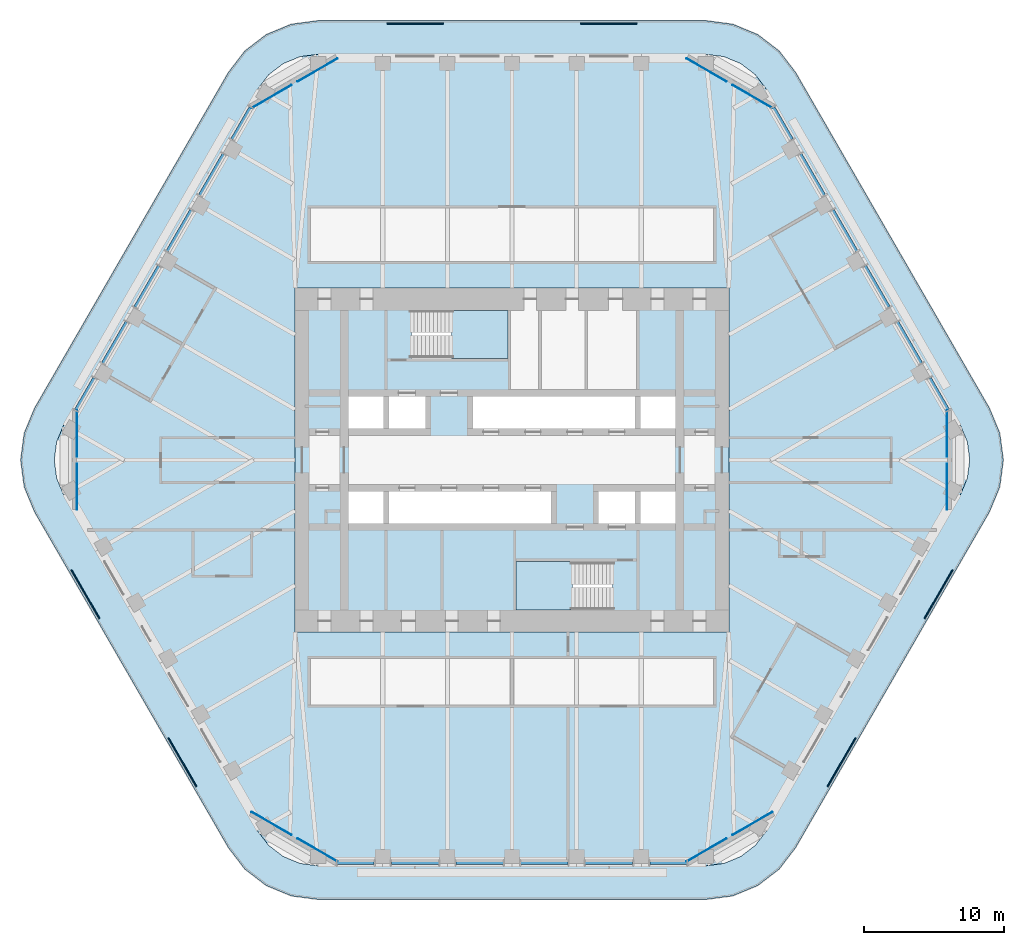
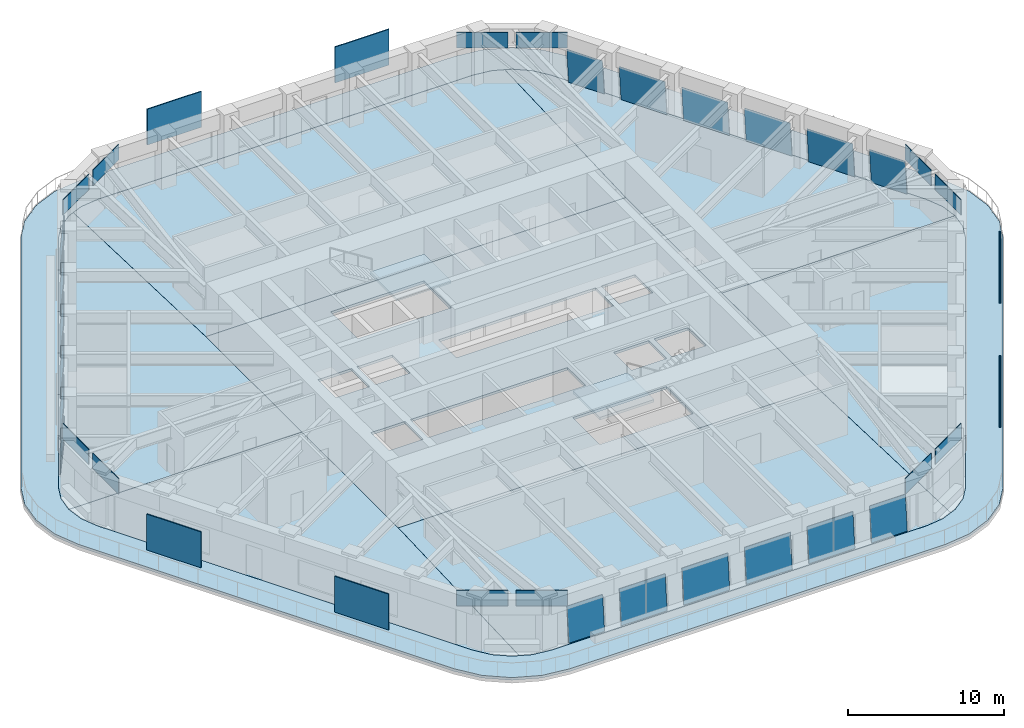
# One storey, part 13 of 20: 36 plates, 10 slabs, 20 elements without a shape of their own.
"""IFC4 building model written with IfcOpenShell, lengths in metres."""

from ifc_helpers import new_model, si_unit, direction, frame, origin, origin_2d, place, context, subcontext, project, spatial, polyline, rectangle, outline, extrude, material, layer, layer_set, type_object, element, aggregate, save


model = new_model("IFC4")

# Units and contexts
model_context = context("Model", 3, precision=1e-05, world=origin(), true_north=direction((0.0, 1.0)))
body_context = subcontext(model_context, "Body", "Model", "MODEL_VIEW")
ifc_project = project(units=[si_unit("LENGTHUNIT", "METRE"), si_unit("AREAUNIT", "SQUARE_METRE"), si_unit("VOLUMEUNIT", "CUBIC_METRE"), si_unit("PLANEANGLEUNIT", "RADIAN"), si_unit("MASSUNIT", "GRAM", prefix="KILO")], contexts=[model_context])

# Site, building, storey
site_placement = place(None, origin())
site = spatial("IfcSite", under=ifc_project, at=site_placement, CompositionType="ELEMENT")
building_placement = place(site_placement, origin())
building = spatial("IfcBuilding", under=site, at=building_placement, Name="Tarfa Lantern Tower", CompositionType="ELEMENT")
storey_placement = place(building_placement, frame((0.0, 0.0, 282.699951171875)))
storey = spatial("IfcBuildingStorey", under=building, at=storey_placement, Name="L64", CompositionType="ELEMENT", Elevation=282.699951171875)

# Slab
ifc_material_1 = material(Name="Concrete C40/50", Category="concrete")
ifc_layer_1 = layer(ifc_material_1, 0.199951171875)
ifc_layer_set_1 = layer_set([ifc_layer_1], Name="BS2 BALCONY SLAB 200")
slab_type_1 = type_object("IfcSlabType", Name="BS2 BALCONY SLAB 200", PredefinedType="FLOOR", material=ifc_layer_set_1)
slab_1_placement = place(storey_placement, frame((0.0, 0.0, -0.199951171875)))
element("IfcSlab", 1, at=slab_1_placement, inside=storey, type_object=slab_type_1, Name="Balcony L64", PredefinedType="FLOOR", context=body_context, shape_type="SweptSolid", body=[
    extrude(outline(polyline([(34.121337890625, 3.699951171875), (20.264892578125, 27.699951171875), (19.089111328125, 29.232666015625), (17.556396484375, 30.40869140625), (15.771728515625, 31.14794921875), (13.8564453125, 31.39990234375), (-13.8564453125, 31.39990234375), (-15.771728515625, 31.14794921875), (-17.556396484375, 30.40869140625), (-19.089111328125, 29.232666015625), (-20.264892578125, 27.699951171875), (-34.121337890625, 3.699951171875), (-34.860595703125, 1.915283203125), (-35.11279296875, 0.0), (-34.860595703125, -1.915283203125), (-34.121337890625, -3.699951171875), (-20.264892578125, -27.699951171875), (-19.089111328125, -29.232666015625), (-17.556396484375, -30.40869140625), (-15.771728515625, -31.14794921875), (-13.8564453125, -31.39990234375), (13.8564453125, -31.39990234375), (15.771728515625, -31.14794921875), (17.556396484375, -30.40869140625), (19.089111328125, -29.232666015625), (20.264892578125, -27.699951171875), (34.121337890625, -3.699951171875), (34.860595703125, -1.915283203125), (35.11279296875, 0.0), (34.860595703125, 1.915283203125), (34.121337890625, 3.699951171875)]), holes=[polyline([(32.04296875, 2.5), (18.1865234375, 26.5), (17.391845703125, 27.53564453125), (16.3564453125, 28.330078125), (15.150390625, 28.82958984375), (13.8564453125, 29.0), (-13.8564453125, 29.0), (-15.150390625, 28.82958984375), (-16.3564453125, 28.330078125), (-17.391845703125, 27.53564453125), (-18.1865234375, 26.5), (-32.04296875, 2.5), (-32.54248046875, 1.294189453125), (-32.712890625, 0.0), (-32.54248046875, -1.294189453125), (-32.04296875, -2.5), (-18.1865234375, -26.5), (-17.391845703125, -27.53564453125), (-16.3564453125, -28.330078125), (-15.150390625, -28.82958984375), (-13.8564453125, -29.0), (13.8564453125, -29.0), (15.150390625, -28.82958984375), (16.3564453125, -28.330078125), (17.391845703125, -27.53564453125), (18.1865234375, -26.5), (32.04296875, -2.5), (32.54248046875, -1.294189453125), (32.712890625, 0.0), (32.54248046875, 1.294189453125), (32.04296875, 2.5)])]), origin(), (0.0, 0.0, 1.0), 0.199951171875),
])

# Curtain wall, plate
ifc_material_2 = material(Name="Aluminium framed curtain wall", Category="aluminium")
curtain_wall_type = type_object("IfcCurtainWallType", Name="CW3 CANTED GLAZING HIGH ZONE 2800", PredefinedType="USERDEFINED", material=ifc_material_2)
curtain_wall_1_placement = place(storey_placement, origin())
curtain_wall_1 = element("IfcCurtainWall", 2, at=curtain_wall_1_placement, inside=storey, type_object=curtain_wall_type, Name="CW3 NE L64", ObjectType="CURTAIN WALL", PredefinedType="USERDEFINED")
ifc_material_3 = material(Name="Laminated double glazing", Category="glass")
ifc_layer_2 = layer(ifc_material_3, 0.028076171875)
ifc_layer_set_2 = layer_set([ifc_layer_2], Name="CWP1 DOUBLE GLAZED PANEL")
plate_type_1 = type_object("IfcPlateType", Name="CWP1 DOUBLE GLAZED PANEL", PredefinedType="CURTAIN_PANEL", material=ifc_layer_set_2)
plate_1_placement = place(storey_placement, frame((31.27392578125, 3.632080078125, 0.0), z_axis=(0.862596006768, 0.498013045463, 0.08894456508), x_axis=(-0.499995010144, 0.866028284653, 3.548924e-06)))
plate_1 = element("IfcPlate", 3, at=plate_1_placement, type_object=plate_type_1, Name="CW3 panel 1.1", PredefinedType="CURTAIN_PANEL", context=body_context, shape_type="SweptSolid", body=[
    extrude(outline(polyline([(0.0, 0.0), (2.63900483458552, 0.0), (2.639010033574038, 2.7459815404063015), (0.00012726808279123097, 2.7460003457631657), (0.0, 0.0)])), origin(), (0.0, 0.0, -1.0), 0.028076171875),
])
aggregate(curtain_wall_1, [plate_1])

curtain_wall_2_placement = place(storey_placement, origin())
curtain_wall_2 = element("IfcCurtainWall", 4, at=curtain_wall_2_placement, inside=storey, type_object=curtain_wall_type, Name="CW3 NE L64", ObjectType="CURTAIN WALL", PredefinedType="USERDEFINED")
plate_2_placement = place(storey_placement, frame((29.33935546875, 6.982666015625, 0.0), z_axis=(0.862606111226, 0.498002363523, 0.08890637098), x_axis=(-0.499982299553, 0.866035622901, 0.0)))
plate_2 = element("IfcPlate", 5, at=plate_2_placement, type_object=plate_type_1, Name="CW3 panel 1.1", PredefinedType="CURTAIN_PANEL", context=body_context, shape_type="SweptSolid", body=[
    extrude(outline(polyline([(0.0, 0.0), (3.3887918412577953, 0.0), (3.3887837504284137, 2.74598154241817), (-8.090829381399156e-06, 2.74598154241817), (0.0, 0.0)])), origin(), (0.0, 0.0, -1.0), 0.028076171875),
])
aggregate(curtain_wall_2, [plate_2])

curtain_wall_3_placement = place(storey_placement, origin())
curtain_wall_3 = element("IfcCurtainWall", 6, at=curtain_wall_3_placement, inside=storey, type_object=curtain_wall_type, Name="CW3 NE L64", ObjectType="CURTAIN WALL", PredefinedType="USERDEFINED")
plate_3_placement = place(storey_placement, frame((27.030029296875, 10.982666015625, 0.0), z_axis=(0.862606111226, 0.498002363523, 0.08890637098), x_axis=(-0.499982299553, 0.866035622901, 0.0)))
plate_3 = element("IfcPlate", 7, at=plate_3_placement, type_object=plate_type_1, Name="CW3 panel 1.1", PredefinedType="CURTAIN_PANEL", context=body_context, shape_type="SweptSolid", body=[
    extrude(outline(polyline([(0.0, 0.0), (3.3887918412577953, 0.0), (3.3887837504284137, 2.74598154241817), (-8.090829381399156e-06, 2.74598154241817), (0.0, 0.0)])), origin(), (0.0, 0.0, -1.0), 0.028076171875),
])
aggregate(curtain_wall_3, [plate_3])

curtain_wall_4_placement = place(storey_placement, origin())
curtain_wall_4 = element("IfcCurtainWall", 8, at=curtain_wall_4_placement, inside=storey, type_object=curtain_wall_type, Name="CW3 NE L64", ObjectType="CURTAIN WALL", PredefinedType="USERDEFINED")
plate_4_placement = place(storey_placement, frame((24.720703125, 14.982666015625, 0.0), z_axis=(0.862587622286, 0.498027567796, 0.088944564725), x_axis=(-0.500009529513, 0.866019901843, 2.763581e-06)))
plate_4 = element("IfcPlate", 9, at=plate_4_placement, type_object=plate_type_1, Name="CW3 panel 1.1", PredefinedType="CURTAIN_PANEL", context=body_context, shape_type="SweptSolid", body=[
    extrude(outline(polyline([(0.0, 0.0), (3.3889139122087784, 5.551115123125783e-17), (3.3889210562595635, 2.7459815404019694), (0.00012921668982732873, 2.746000345672202), (0.0, 0.0)])), origin(), (0.0, 0.0, -1.0), 0.028076171875),
])
aggregate(curtain_wall_4, [plate_4])

curtain_wall_5_placement = place(storey_placement, origin())
curtain_wall_5 = element("IfcCurtainWall", 10, at=curtain_wall_5_placement, inside=storey, type_object=curtain_wall_type, Name="CW3 NE L64", ObjectType="CURTAIN WALL", PredefinedType="USERDEFINED")
plate_5_placement = place(storey_placement, frame((22.4111328125, 18.982666015625, 0.0), z_axis=(0.862606111226, 0.498002363523, 0.08890637098), x_axis=(-0.499982299553, 0.866035622901, 0.0)))
plate_5 = element("IfcPlate", 11, at=plate_5_placement, type_object=plate_type_1, Name="CW3 panel 1.1", PredefinedType="CURTAIN_PANEL", context=body_context, shape_type="SweptSolid", body=[
    extrude(outline(polyline([(0.0, 0.0), (3.3887918412577953, 0.0), (3.3887837504284137, 2.74598154241817), (-8.090829381399156e-06, 2.74598154241817), (0.0, 0.0)])), origin(), (0.0, 0.0, -1.0), 0.028076171875),
])
aggregate(curtain_wall_5, [plate_5])

curtain_wall_6_placement = place(storey_placement, origin())
curtain_wall_6 = element("IfcCurtainWall", 12, at=curtain_wall_6_placement, inside=storey, type_object=curtain_wall_type, Name="CW3 NE L64", ObjectType="CURTAIN WALL", PredefinedType="USERDEFINED")
plate_6_placement = place(storey_placement, frame((20.101806640625, 22.982666015625, 0.0), z_axis=(0.862595873499, 0.498020096195, 0.088906371021), x_axis=(-0.500000102728, 0.866025344474, 0.0)))
plate_6 = element("IfcPlate", 13, at=plate_6_placement, type_object=plate_type_1, Name="CW3 panel 1.1", PredefinedType="CURTAIN_PANEL", context=body_context, shape_type="SweptSolid", body=[
    extrude(outline(polyline([(0.0, 0.0), (2.638671332866802, -2.7755575615628914e-17), (2.638668260778366, 2.7459815424283702), (-3.072088436501354e-06, 2.7459815424283702), (0.0, 0.0)])), origin(), (0.0, 0.0, -1.0), 0.028076171875),
])
aggregate(curtain_wall_6, [plate_6])

curtain_wall_7_placement = place(storey_placement, origin())
curtain_wall_7 = element("IfcCurtainWall", 14, at=curtain_wall_7_placement, inside=storey, type_object=curtain_wall_type, Name="CW3 NW L64", ObjectType="CURTAIN WALL", PredefinedType="USERDEFINED")
plate_7_placement = place(storey_placement, frame((-18.782470703125, 25.267822265625, 0.0), z_axis=(-0.862595873499, 0.498020096195, 0.088906371021), x_axis=(-0.500000102728, -0.866025344474, 0.0)))
plate_7 = element("IfcPlate", 15, at=plate_7_placement, type_object=plate_type_1, Name="CW3 panel 1.1", PredefinedType="CURTAIN_PANEL", context=body_context, shape_type="SweptSolid", body=[
    extrude(outline(polyline([(0.0, 0.0), (2.638671332866802, 2.7755575615628914e-17), (2.6386744049552386, 2.7459815424283702), (3.072088436501354e-06, 2.7459815424283702), (0.0, 0.0)])), origin(), (0.0, 0.0, -1.0), 0.028076171875),
])
aggregate(curtain_wall_7, [plate_7])

curtain_wall_8_placement = place(storey_placement, origin())
curtain_wall_8 = element("IfcCurtainWall", 16, at=curtain_wall_8_placement, inside=storey, type_object=curtain_wall_type, Name="CW3 NW L64", ObjectType="CURTAIN WALL", PredefinedType="USERDEFINED")
plate_8_placement = place(storey_placement, frame((-20.716796875, 21.91748046875, 0.0), z_axis=(-0.862606111226, 0.498002363523, 0.08890637098), x_axis=(-0.499982299553, -0.866035622901, 0.0)))
plate_8 = element("IfcPlate", 17, at=plate_8_placement, type_object=plate_type_1, Name="CW3 panel 1.1", PredefinedType="CURTAIN_PANEL", context=body_context, shape_type="SweptSolid", body=[
    extrude(outline(polyline([(0.0, 0.0), (3.3887918412577953, 0.0), (3.3887999320871764, 2.74598154241817), (8.090829381399156e-06, 2.74598154241817), (0.0, 0.0)])), origin(), (0.0, 0.0, -1.0), 0.028076171875),
])
aggregate(curtain_wall_8, [plate_8])

curtain_wall_9_placement = place(storey_placement, origin())
curtain_wall_9 = element("IfcCurtainWall", 18, at=curtain_wall_9_placement, inside=storey, type_object=curtain_wall_type, Name="CW3 NW L64", ObjectType="CURTAIN WALL", PredefinedType="USERDEFINED")
plate_9_placement = place(storey_placement, frame((-23.026123046875, 17.91748046875, 0.0), z_axis=(-0.862587622286, 0.498027567796, 0.088944564725), x_axis=(-0.500009529513, -0.866019901843, -2.763581e-06)))
plate_9 = element("IfcPlate", 19, at=plate_9_placement, type_object=plate_type_1, Name="CW3 panel 1.1", PredefinedType="CURTAIN_PANEL", context=body_context, shape_type="SweptSolid", body=[
    extrude(outline(polyline([(0.0, 0.0), (3.3889139122087784, -5.551115123125783e-17), (3.3887846955189507, 2.746000345672202), (-7.144050785966382e-06, 2.7459815404019694), (0.0, 0.0)])), origin(), (0.0, 0.0, -1.0), 0.028076171875),
])
aggregate(curtain_wall_9, [plate_9])

curtain_wall_10_placement = place(storey_placement, origin())
curtain_wall_10 = element("IfcCurtainWall", 20, at=curtain_wall_10_placement, inside=storey, type_object=curtain_wall_type, Name="CW3 NW L64", ObjectType="CURTAIN WALL", PredefinedType="USERDEFINED")
plate_10_placement = place(storey_placement, frame((-25.335693359375, 13.91748046875, 0.0), z_axis=(-0.862606111226, 0.498002363523, 0.08890637098), x_axis=(-0.499982299553, -0.866035622901, 0.0)))
plate_10 = element("IfcPlate", 21, at=plate_10_placement, type_object=plate_type_1, Name="CW3 panel 1.1", PredefinedType="CURTAIN_PANEL", context=body_context, shape_type="SweptSolid", body=[
    extrude(outline(polyline([(0.0, 0.0), (3.3887918412577953, 0.0), (3.3887999320871764, 2.74598154241817), (8.090829381399156e-06, 2.74598154241817), (0.0, 0.0)])), origin(), (0.0, 0.0, -1.0), 0.028076171875),
])
aggregate(curtain_wall_10, [plate_10])

curtain_wall_11_placement = place(storey_placement, origin())
curtain_wall_11 = element("IfcCurtainWall", 22, at=curtain_wall_11_placement, inside=storey, type_object=curtain_wall_type, Name="CW3 NW L64", ObjectType="CURTAIN WALL", PredefinedType="USERDEFINED")
plate_11_placement = place(storey_placement, frame((-27.64501953125, 9.91748046875, 0.0), z_axis=(-0.862606111226, 0.498002363523, 0.08890637098), x_axis=(-0.499982299553, -0.866035622901, 0.0)))
plate_11 = element("IfcPlate", 23, at=plate_11_placement, type_object=plate_type_1, Name="CW3 panel 1.1", PredefinedType="CURTAIN_PANEL", context=body_context, shape_type="SweptSolid", body=[
    extrude(outline(polyline([(0.0, 0.0), (3.3887918412577953, 0.0), (3.3887999320871764, 2.74598154241817), (8.090829381399156e-06, 2.74598154241817), (0.0, 0.0)])), origin(), (0.0, 0.0, -1.0), 0.028076171875),
])
aggregate(curtain_wall_11, [plate_11])

curtain_wall_12_placement = place(storey_placement, origin())
curtain_wall_12 = element("IfcCurtainWall", 24, at=curtain_wall_12_placement, inside=storey, type_object=curtain_wall_type, Name="CW3 NW L64", ObjectType="CURTAIN WALL", PredefinedType="USERDEFINED")
plate_12_placement = place(storey_placement, frame((-29.954345703125, 5.91748046875, 0.0), z_axis=(-0.862596006768, 0.498013045463, 0.08894456508), x_axis=(-0.499995010144, -0.866028284653, -3.548924e-06)))
plate_12 = element("IfcPlate", 25, at=plate_12_placement, type_object=plate_type_1, Name="CW3 panel 1.1", PredefinedType="CURTAIN_PANEL", context=body_context, shape_type="SweptSolid", body=[
    extrude(outline(polyline([(0.0, 0.0), (2.63900483458552, 0.0), (2.6388775665027286, 2.7460003457631657), (-5.198988517736766e-06, 2.7459815404063015), (0.0, 0.0)])), origin(), (0.0, 0.0, -1.0), 0.028076171875),
])
aggregate(curtain_wall_12, [plate_12])

curtain_wall_13_placement = place(storey_placement, origin())
curtain_wall_13 = element("IfcCurtainWall", 26, at=curtain_wall_13_placement, inside=storey, type_object=curtain_wall_type, Name="CW3 S L64", ObjectType="CURTAIN WALL", PredefinedType="USERDEFINED")
plate_13_placement = place(storey_placement, frame((-12.491455078125, -28.89990234375, 0.0), z_axis=(0.0, -0.996039814532, 0.088908311571), x_axis=(1.0, 0.0, 0.0)))
plate_13 = element("IfcPlate", 27, at=plate_13_placement, type_object=plate_type_1, Name="CW3 panel 1.1", PredefinedType="CURTAIN_PANEL", context=body_context, shape_type="SweptSolid", body=[
    extrude(outline(polyline([(0.0, 0.0), (2.638916015625, 0.0), (2.638916015625, 2.7459820199650076), (0.0, 2.7459820199650076), (0.0, 0.0)])), origin(), (0.0, 0.0, -1.0), 0.028076171875),
])
aggregate(curtain_wall_13, [plate_13])

curtain_wall_14_placement = place(storey_placement, origin())
curtain_wall_14 = element("IfcCurtainWall", 28, at=curtain_wall_14_placement, inside=storey, type_object=curtain_wall_type, Name="CW3 S L64", ObjectType="CURTAIN WALL", PredefinedType="USERDEFINED")
plate_14_placement = place(storey_placement, frame((-8.62255859375, -28.89990234375, 0.0), z_axis=(0.0, -0.996039814532, 0.088908311571), x_axis=(1.0, 0.0, 0.0)))
plate_14 = element("IfcPlate", 29, at=plate_14_placement, type_object=plate_type_1, Name="CW3 panel 1.1", PredefinedType="CURTAIN_PANEL", context=body_context, shape_type="SweptSolid", body=[
    extrude(outline(polyline([(0.0, 0.0), (3.388671875, 0.0), (3.388671875, 2.745982019965007), (0.0, 2.745982019965007), (0.0, 0.0)])), origin(), (0.0, 0.0, -1.0), 0.028076171875),
])
aggregate(curtain_wall_14, [plate_14])

curtain_wall_15_placement = place(storey_placement, origin())
curtain_wall_15 = element("IfcCurtainWall", 30, at=curtain_wall_15_placement, inside=storey, type_object=curtain_wall_type, Name="CW3 S L64", ObjectType="CURTAIN WALL", PredefinedType="USERDEFINED")
plate_15_placement = place(storey_placement, frame((-4.00390625, -28.89990234375, 0.0), z_axis=(0.0, -0.996039814532, 0.088908311571), x_axis=(1.0, 0.0, 0.0)))
plate_15 = element("IfcPlate", 31, at=plate_15_placement, type_object=plate_type_1, Name="CW3 panel 1.1", PredefinedType="CURTAIN_PANEL", context=body_context, shape_type="SweptSolid", body=[
    extrude(outline(polyline([(0.0, 0.0), (3.388916015625, 0.0), (3.388916015625, 2.745982019965007), (0.0, 2.745982019965007), (0.0, 0.0)])), origin(), (0.0, 0.0, -1.0), 0.028076171875),
])
aggregate(curtain_wall_15, [plate_15])

curtain_wall_16_placement = place(storey_placement, origin())
curtain_wall_16 = element("IfcCurtainWall", 32, at=curtain_wall_16_placement, inside=storey, type_object=curtain_wall_type, Name="CW3 S L64", ObjectType="CURTAIN WALL", PredefinedType="USERDEFINED")
plate_16_placement = place(storey_placement, frame((0.614990234375, -28.89990234375, 0.0), z_axis=(0.0, -0.996039814532, 0.088908311571), x_axis=(1.0, 0.0, 0.0)))
plate_16 = element("IfcPlate", 33, at=plate_16_placement, type_object=plate_type_1, Name="CW3 panel 1.1", PredefinedType="CURTAIN_PANEL", context=body_context, shape_type="SweptSolid", body=[
    extrude(outline(polyline([(0.0, 0.0), (3.388916015625, 0.0), (3.388916015625, 2.745982019965007), (0.0, 2.745982019965007), (0.0, 0.0)])), origin(), (0.0, 0.0, -1.0), 0.028076171875),
])
aggregate(curtain_wall_16, [plate_16])

curtain_wall_17_placement = place(storey_placement, origin())
curtain_wall_17 = element("IfcCurtainWall", 34, at=curtain_wall_17_placement, inside=storey, type_object=curtain_wall_type, Name="CW3 S L64", ObjectType="CURTAIN WALL", PredefinedType="USERDEFINED")
plate_17_placement = place(storey_placement, frame((5.23388671875, -28.89990234375, 0.0), z_axis=(0.0, -0.996039814532, 0.088908311571), x_axis=(1.0, 0.0, 0.0)))
plate_17 = element("IfcPlate", 35, at=plate_17_placement, type_object=plate_type_1, Name="CW3 panel 1.1", PredefinedType="CURTAIN_PANEL", context=body_context, shape_type="SweptSolid", body=[
    extrude(outline(polyline([(0.0, 0.0), (3.388671875, 0.0), (3.388671875, 2.745982019965007), (0.0, 2.745982019965007), (0.0, 0.0)])), origin(), (0.0, 0.0, -1.0), 0.028076171875),
])
aggregate(curtain_wall_17, [plate_17])

curtain_wall_18_placement = place(storey_placement, origin())
curtain_wall_18 = element("IfcCurtainWall", 36, at=curtain_wall_18_placement, inside=storey, type_object=curtain_wall_type, Name="CW3 S L64", ObjectType="CURTAIN WALL", PredefinedType="USERDEFINED")
plate_18_placement = place(storey_placement, frame((9.8525390625, -28.89990234375, 0.0), z_axis=(0.0, -0.996039814532, 0.088908311571), x_axis=(1.0, 0.0, 0.0)))
plate_18 = element("IfcPlate", 37, at=plate_18_placement, type_object=plate_type_1, Name="CW3 panel 1.1", PredefinedType="CURTAIN_PANEL", context=body_context, shape_type="SweptSolid", body=[
    extrude(outline(polyline([(0.0, 0.0), (2.638916015625, 0.0), (2.638916015625, 2.7459820199650076), (0.0, 2.7459820199650076), (0.0, 0.0)])), origin(), (0.0, 0.0, -1.0), 0.028076171875),
])
aggregate(curtain_wall_18, [plate_18])

# Slabs
ifc_layer_3 = layer(ifc_material_1, 0.199951171875)
ifc_layer_set_3 = layer_set([ifc_layer_3], Name="FS1 FLOOR SLAB 200")
slab_type_2 = type_object("IfcSlabType", Name="FS1 FLOOR SLAB 200", PredefinedType="FLOOR", material=ifc_layer_set_3)
slab_2_placement = place(storey_placement, frame((0.0, 0.0, -0.199951171875)))
element("IfcSlab", 38, at=slab_2_placement, inside=storey, type_object=slab_type_2, Name="Floor slab L64", PredefinedType="FLOOR", context=body_context, shape_type="SweptSolid", body=[
    extrude(outline(polyline([(-15.5, -12.300048828125), (15.5, -12.300048828125), (15.5, 12.300048828125), (-15.5, 12.300048828125), (-15.5, -12.300048828125)]), holes=[polyline([(-11.699951171875, 2.25), (-9.199951171875, 2.25), (-9.199951171875, 4.550048828125), (-11.699951171875, 4.550048828125), (-11.699951171875, 2.25)]), polyline([(-8.800048828125, 2.25), (-6.199951171875, 2.25), (-6.199951171875, 4.550048828125), (-8.800048828125, 4.550048828125), (-8.800048828125, 2.25)]), polyline([(-2.800048828125, 2.25), (8.800048828125, 2.25), (8.800048828125, 4.550048828125), (-2.800048828125, 4.550048828125), (-2.800048828125, 2.25)]), polyline([(9.199951171875, 2.25), (11.699951171875, 2.25), (11.699951171875, 4.550048828125), (9.199951171875, 4.550048828125), (9.199951171875, 2.25)]), polyline([(11.699951171875, -2.25), (9.199951171875, -2.25), (9.199951171875, -4.550048828125), (11.699951171875, -4.550048828125), (11.699951171875, -2.25)]), polyline([(8.800048828125, -2.25), (6.199951171875, -2.25), (6.199951171875, -4.550048828125), (8.800048828125, -4.550048828125), (8.800048828125, -2.25)]), polyline([(2.800048828125, -2.25), (-8.800048828125, -2.25), (-8.800048828125, -4.550048828125), (2.800048828125, -4.550048828125), (2.800048828125, -2.25)]), polyline([(-9.199951171875, -2.25), (-11.699951171875, -2.25), (-11.699951171875, -4.550048828125), (-9.199951171875, -4.550048828125), (-9.199951171875, -2.25)]), polyline([(-7.199951171875, 7.25), (-0.300048828125, 7.25), (-0.300048828125, 10.699951171875), (-7.199951171875, 10.699951171875), (-7.199951171875, 7.25)]), polyline([(7.199951171875, -7.25), (0.300048828125, -7.25), (0.300048828125, -10.699951171875), (7.199951171875, -10.699951171875), (7.199951171875, -7.25)])]), origin(), (0.0, 0.0, 1.0), 0.199951171875),
])
slab_3_placement = place(storey_placement, frame((0.0, 0.0, -0.199951171875)))
element("IfcSlab", 39, at=slab_3_placement, inside=storey, type_object=slab_type_2, Name="Floor slab L64 NE bay", PredefinedType="FLOOR", context=body_context, shape_type="SweptSolid", body=[
    extrude(outline(polyline([(32.041259765625, 2.4990234375), (18.184814453125, 26.498779296875), (17.390625, 27.5341796875), (16.35546875, 28.328369140625), (15.927490234375, 28.505615234375), (15.501953125, 12.300048828125), (15.501953125, 0.001953125), (32.71044921875, 0.001953125), (32.54052734375, 1.29345703125), (32.041259765625, 2.4990234375)])), origin(), (0.0, 0.0, 1.0), 0.199951171875),
])
slab_4_placement = place(storey_placement, frame((0.0, 0.0, -0.199951171875)))
element("IfcSlab", 40, at=slab_4_placement, inside=storey, type_object=slab_type_2, Name="Floor slab L64 N bay", PredefinedType="FLOOR", context=body_context, shape_type="SweptSolid", body=[
    extrude(outline(polyline([(-15.498046875, 12.302001953125), (15.498046875, 12.302001953125), (15.923583984375, 28.50732421875), (15.14990234375, 28.82763671875), (13.856201171875, 28.998046875), (-13.856201171875, 28.998046875), (-15.14990234375, 28.82763671875), (-15.923583984375, 28.50732421875), (-15.498046875, 12.302001953125)])), origin(), (0.0, 0.0, 1.0), 0.199951171875),
])
slab_5_placement = place(storey_placement, frame((0.0, 0.0, -0.199951171875)))
element("IfcSlab", 41, at=slab_5_placement, inside=storey, type_object=slab_type_2, Name="Floor slab L64 NW bay", PredefinedType="FLOOR", context=body_context, shape_type="SweptSolid", body=[
    extrude(outline(polyline([(-15.501953125, 0.001953125), (-15.501953125, 12.300048828125), (-15.927490234375, 28.505615234375), (-16.35546875, 28.328369140625), (-17.390625, 27.5341796875), (-18.184814453125, 26.498779296875), (-32.041259765625, 2.4990234375), (-32.54052734375, 1.29345703125), (-32.71044921875, 0.001953125), (-15.501953125, 0.001953125)])), origin(), (0.0, 0.0, 1.0), 0.199951171875),
])
slab_6_placement = place(storey_placement, frame((0.0, 0.0, -0.199951171875)))
element("IfcSlab", 42, at=slab_6_placement, inside=storey, type_object=slab_type_2, Name="Floor slab L64 SW bay", PredefinedType="FLOOR", context=body_context, shape_type="SweptSolid", body=[
    extrude(outline(polyline([(-15.501953125, -12.300048828125), (-15.501953125, -0.001953125), (-32.71044921875, -0.001953125), (-32.54052734375, -1.29345703125), (-32.041259765625, -2.4990234375), (-18.184814453125, -26.498779296875), (-17.390625, -27.5341796875), (-16.35546875, -28.328369140625), (-15.927490234375, -28.505615234375), (-15.501953125, -12.300048828125)])), origin(), (0.0, 0.0, 1.0), 0.199951171875),
])
slab_7_placement = place(storey_placement, frame((0.0, 0.0, -0.199951171875)))
element("IfcSlab", 43, at=slab_7_placement, inside=storey, type_object=slab_type_2, Name="Floor slab L64 S bay", PredefinedType="FLOOR", context=body_context, shape_type="SweptSolid", body=[
    extrude(outline(polyline([(15.498046875, -12.302001953125), (-15.498046875, -12.302001953125), (-15.923583984375, -28.50732421875), (-15.14990234375, -28.82763671875), (-13.856201171875, -28.998046875), (13.856201171875, -28.998046875), (15.14990234375, -28.82763671875), (15.923583984375, -28.50732421875), (15.498046875, -12.302001953125)])), origin(), (0.0, 0.0, 1.0), 0.199951171875),
])
slab_8_placement = place(storey_placement, frame((0.0, 0.0, -0.199951171875)))
element("IfcSlab", 44, at=slab_8_placement, inside=storey, type_object=slab_type_2, Name="Floor slab L64 SE bay", PredefinedType="FLOOR", context=body_context, shape_type="SweptSolid", body=[
    extrude(outline(polyline([(15.501953125, -0.001953125), (15.501953125, -12.300048828125), (15.927490234375, -28.505615234375), (16.35546875, -28.328369140625), (17.390625, -27.5341796875), (18.184814453125, -26.498779296875), (32.041259765625, -2.4990234375), (32.54052734375, -1.29345703125), (32.71044921875, -0.001953125), (15.501953125, -0.001953125)])), origin(), (0.0, 0.0, 1.0), 0.199951171875),
])

# Plates
ifc_material_4 = material(Name="Aluminium fascia panel", Category="aluminium")
ifc_layer_4 = layer(ifc_material_4, 0.050048828125)
ifc_layer_set_4 = layer_set([ifc_layer_4], Name="LF1 LOGGIA HEAD FASCIA 50")
plate_type_2 = type_object("IfcPlateType", Name="LF1 LOGGIA HEAD FASCIA 50", PredefinedType="USERDEFINED", material=ifc_layer_set_4)
for number, where, z_axis, x_axis, name in (
    (45, (17.18994140625, 25.972900390625, 2.80029296875), (0.0, 0.0, 1.0), (-0.866025403784, 0.5, 0.0), "Garden head fascia NE-N"),
    (46, (13.898193359375, 27.873291015625, 2.80029296875), (0.0, 0.0, 1.0), (-0.866025403784, 0.5, 0.0), "Garden head fascia NE-N"),
    (47, (-13.898193359375, 27.873291015625, 2.80029296875), (0.0, 0.0, 1.0), (-0.866025403784, -0.5, 0.0), "Garden head fascia N-NW"),
    (48, (-17.18994140625, 25.972900390625, 2.80029296875), (0.0, 0.0, 1.0), (-0.866025403784, -0.5, 0.0), "Garden head fascia N-NW"),
    (49, (-31.088134765625, 1.900390625, 2.80029296875), (0.0, 0.0, 1.0), (0.0, -1.0, 0.0), "Garden head fascia NW-SW"),
    (50, (-31.088134765625, -1.900390625, 2.80029296875), (0.0, 0.0, 1.0), (0.0, -1.0, 0.0), "Garden head fascia NW-SW"),
    (51, (-17.18994140625, -25.972900390625, 2.80029296875), (0.0, 0.0, 1.0), (0.866025403784, -0.5, 0.0), "Garden head fascia SW-S"),
    (52, (-13.898193359375, -27.873291015625, 2.80029296875), (0.0, 0.0, 1.0), (0.866025403784, -0.5, 0.0), "Garden head fascia SW-S"),
    (53, (13.898193359375, -27.873291015625, 2.80029296875), (0.0, 0.0, 1.0), (0.866025403784, 0.5, 0.0), "Garden head fascia S-SE"),
    (54, (17.18994140625, -25.972900390625, 2.80029296875), (0.0, 0.0, 1.0), (0.866025403784, 0.5, 0.0), "Garden head fascia S-SE"),
    (55, (31.088134765625, -1.900390625, 2.80029296875), (0.0, 0.0, 1.0), (0.0, 1.0, 0.0), "Garden head fascia SE-NE"),
    (56, (31.088134765625, 1.900390625, 2.80029296875), (0.0, 0.0, 1.0), (0.0, 1.0, 0.0), "Garden head fascia SE-NE"),
):
    element("IfcPlate", number, at=place(storey_placement, frame(where, z_axis=z_axis, x_axis=x_axis)), inside=storey, type_object=plate_type_2, Name=name, ObjectType="FASCIA", PredefinedType="USERDEFINED", context=body_context, shape_type="SweptSolid", body=[
        extrude(rectangle(XDim=3.30078125, YDim=0.050048828125, at=origin_2d()), origin(), (0.0, 0.0, 1.0), 1.199951171875),
    ])
ifc_material_5 = material(Name="Perforated limestone screen", Category="masonry")
ifc_layer_5 = layer(ifc_material_5, 0.080078125)
ifc_layer_set_5 = layer_set([ifc_layer_5], Name="SC1 STONE SCREEN 80")
plate_type_3 = type_object("IfcPlateType", Name="SC1 STONE SCREEN 80", PredefinedType="USERDEFINED", material=ifc_layer_set_5)
for number, where, z_axis, x_axis, name in (
    (57, (6.92822265625, 31.199951171875, 1.2001953125), (0.0, 0.0, 1.0), (-1.0, 0.0, 0.0), "Stone screen N 1"),
    (58, (-6.92822265625, 31.199951171875, 1.2001953125), (0.0, 0.0, 1.0), (-1.0, 0.0, 0.0), "Stone screen N 2"),
    (59, (-30.484130859375, -9.60009765625, 1.2001953125), (0.0, 0.0, 1.0), (0.5, -0.866025403784, 0.0), "Stone screen SW 1"),
    (60, (-23.555908203125, -21.60009765625, 1.2001953125), (0.0, 0.0, 1.0), (0.5, -0.866025403784, 0.0), "Stone screen SW 2"),
    (61, (23.555908203125, -21.60009765625, 1.2001953125), (0.0, 0.0, 1.0), (0.5, 0.866025403784, 0.0), "Stone screen SE 1"),
    (62, (30.484130859375, -9.60009765625, 1.2001953125), (0.0, 0.0, 1.0), (0.5, 0.866025403784, 0.0), "Stone screen SE 2"),
):
    element("IfcPlate", number, at=place(storey_placement, frame(where, z_axis=z_axis, x_axis=x_axis)), inside=storey, type_object=plate_type_3, Name=name, ObjectType="SCREEN", PredefinedType="USERDEFINED", context=body_context, shape_type="SweptSolid", body=[
        extrude(rectangle(XDim=4.0, YDim=0.080078125, at=origin_2d()), origin(), (0.0, 0.0, 1.0), 2.800048828125),
    ])

# Stair, slab
stair_type = type_object("IfcStairType", Name="ST-T10 HALF-TURN STAIR 4200 RISE", PredefinedType="HALF_TURN_STAIR", material=ifc_material_1)
stair_1_placement = place(storey_placement, origin())
stair_1 = element("IfcStair", 63, at=stair_1_placement, inside=storey, type_object=stair_type, Name="Stair ST1", PredefinedType="HALF_TURN_STAIR")
ifc_layer_6 = layer(ifc_material_1, 0.199951171875)
ifc_layer_set_6 = layer_set([ifc_layer_6], Name="SL1 STAIR LANDING 200")
slab_type_3 = type_object("IfcSlabType", Name="SL1 STAIR LANDING 200", PredefinedType="LANDING", material=ifc_layer_set_6)
slab_9_placement = place(storey_placement, frame((0.0, 0.0, 1.900146484375)))
slab_9 = element("IfcSlab", 64, at=slab_9_placement, type_object=slab_type_3, Name="ST1 landing 1", PredefinedType="LANDING", context=body_context, shape_type="SweptSolid", body=[
    extrude(outline(polyline([(-4.320068359375, 7.25), (-0.300048828125, 7.25), (-0.300048828125, 10.699951171875), (-4.320068359375, 10.699951171875), (-4.320068359375, 7.25)])), origin(), (0.0, 0.0, 1.0), 0.199951171875),
])
aggregate(stair_1, [slab_9])

stair_2_placement = place(storey_placement, origin())
stair_2 = element("IfcStair", 65, at=stair_2_placement, inside=storey, type_object=stair_type, Name="Stair ST2", PredefinedType="HALF_TURN_STAIR")
slab_10_placement = place(storey_placement, frame((0.0, 0.0, 1.900146484375)))
slab_10 = element("IfcSlab", 66, at=slab_10_placement, type_object=slab_type_3, Name="ST2 landing 1", PredefinedType="LANDING", context=body_context, shape_type="SweptSolid", body=[
    extrude(outline(polyline([(4.320068359375, -7.25), (0.300048828125, -7.25), (0.300048828125, -10.699951171875), (4.320068359375, -10.699951171875), (4.320068359375, -7.25)])), origin(), (0.0, 0.0, 1.0), 0.199951171875),
])
aggregate(stair_2, [slab_10])

save(model, "model.ifc")
